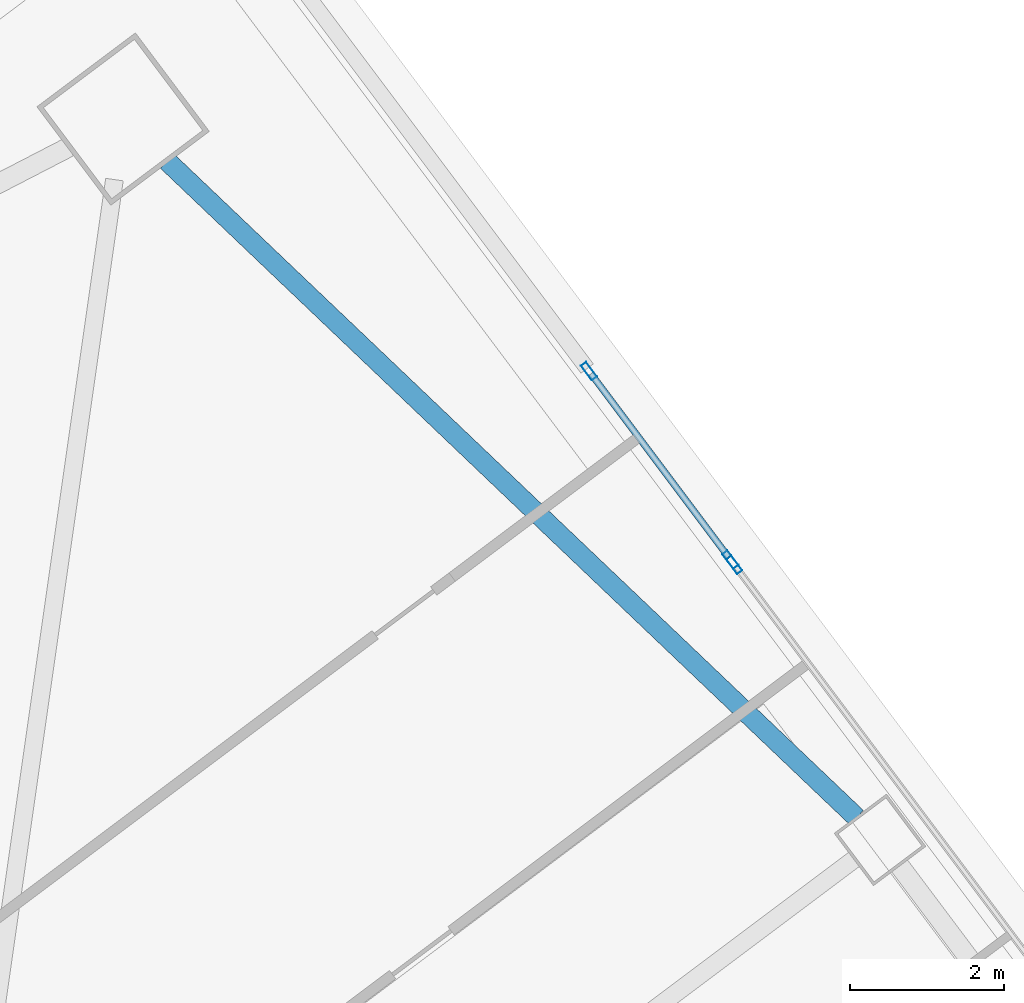
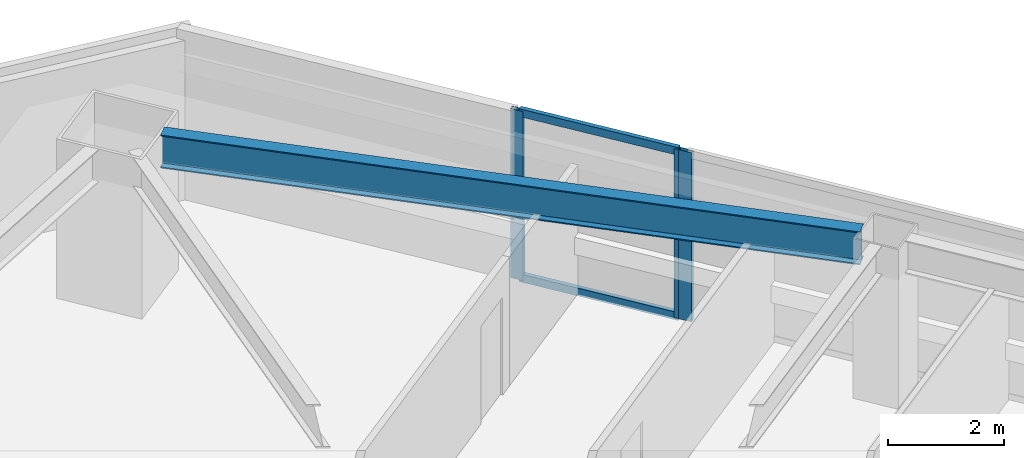
# One storey, part 34 of 48: 5 members, 1 beam, 2 elements without a shape of their own.
"""IFC4 building model written with IfcOpenShell, lengths in metres."""

import ifcopenshell
import ifcopenshell.guid

model = None  # the IFC model being written
_history = None  # IfcOwnerHistory: only IFC2X3 demands one
_inside = {}  # id of a spatial element -> (the spatial element, [elements in it])
_under = {}  # id of a project, library or spatial element -> (it, [spatial elements below it])
_declared = {}  # id of a project -> (the project, [libraries it declares])
_typed = {}  # id of a type object -> (the type object, [elements of that type])
_made_of = {}  # id of a material, layer set ... -> (it, [elements and type objects made of it])


def new_model(schema):
    """Start an empty IFC model of exactly this schema.

    Asked for "IFC4X3", IfcOpenShell would pick the latest addendum, in which some entities
    have other attributes; the version numbers below select the first issue.
    IFC2X3 requires an IfcOwnerHistory on every rooted entity: one is made here for all.
    """
    global model, _history
    if schema == "IFC4X3":
        model = ifcopenshell.file(schema_version=(4, 3, 0, 0))
    else:
        model = ifcopenshell.file(schema=schema)
    _inside.clear()
    _under.clear()
    _declared.clear()
    _typed.clear()
    _made_of.clear()
    _history = None
    if model.schema == "IFC2X3":
        org = make("IfcOrganization", Name="unknown")
        user = make(
            "IfcPersonAndOrganization",
            ThePerson=make("IfcPerson", FamilyName="unknown"),
            TheOrganization=org,
        )
        app = make(
            "IfcApplication",
            ApplicationDeveloper=org,
            Version="unknown",
            ApplicationFullName="unknown",
            ApplicationIdentifier="unknown",
        )
        _history = make(
            "IfcOwnerHistory",
            OwningUser=user,
            OwningApplication=app,
            ChangeAction="ADDED",
            CreationDate=0,
        )
    return model


def make(cls, **values):
    """One entity of the class cls with the attributes given. An attribute that is None is left unset."""
    return model.create_entity(
        cls, **{name: value for name, value in values.items() if value is not None}
    )


def rooted(cls, **values):
    """An entity with a GlobalId (a new one), such as an element, a storey or a relation."""
    return make(cls, GlobalId=ifcopenshell.guid.new(), OwnerHistory=_history, **values)


def si_unit(unit_type, name, prefix=None):
    """IfcSIUnit, for example si_unit("LENGTHUNIT", "METRE", prefix="MILLI")."""
    return make("IfcSIUnit", UnitType=unit_type, Prefix=prefix, Name=name)


def assignment(units):
    """IfcUnitAssignment: the units of a project."""
    return None if units is None else make("IfcUnitAssignment", Units=units)


def point(xyz):
    """IfcCartesianPoint."""
    return None if xyz is None else make("IfcCartesianPoint", Coordinates=xyz)


def direction(xyz):
    """IfcDirection."""
    return None if xyz is None else make("IfcDirection", DirectionRatios=xyz)


def frame(location, z_axis=None, x_axis=None):
    """IfcAxis2Placement3D, a coordinate frame: its origin and axes. An axis left out is left unset."""
    return make(
        "IfcAxis2Placement3D",
        Location=point(location),
        Axis=direction(z_axis),
        RefDirection=direction(x_axis),
    )


def frame_2d(location, x_axis=None):
    """IfcAxis2Placement2D, a coordinate frame in the plane: its origin and x axis."""
    return make(
        "IfcAxis2Placement2D", Location=point(location), RefDirection=direction(x_axis)
    )


def origin():
    """The frame at (0, 0, 0) with its axes left unset."""
    return frame((0.0, 0.0, 0.0))


def origin_2d():
    """The frame at (0, 0) in the plane with its x axis left unset."""
    return frame_2d((0.0, 0.0))


def place(relative_to, where):
    """IfcLocalPlacement: puts the frame where relative to a parent placement (None: the world)."""
    return make(
        "IfcLocalPlacement", PlacementRelTo=relative_to, RelativePlacement=where
    )


def context(
    kind, dimensions, precision=None, world=None, true_north=None, identifier=None
):
    """IfcGeometricRepresentationContext, for example the 3D "Model" context."""
    return make(
        "IfcGeometricRepresentationContext",
        ContextIdentifier=identifier,
        ContextType=kind,
        CoordinateSpaceDimension=dimensions,
        Precision=precision,
        WorldCoordinateSystem=world,
        TrueNorth=true_north,
    )


def subcontext(parent, identifier, kind, view, scale=None):
    """IfcGeometricRepresentationSubContext, for example "Body" below "Model"."""
    return make(
        "IfcGeometricRepresentationSubContext",
        ContextIdentifier=identifier,
        ContextType=kind,
        ParentContext=parent,
        TargetScale=scale,
        TargetView=view,
    )


def project(units=None, contexts=None):
    """IfcProject with its units and contexts."""
    return rooted(
        "IfcProject",
        Name="project",
        RepresentationContexts=contexts,
        UnitsInContext=assignment(units),
    )


def spatial(cls, under=None, at=None, **own):
    """A site, building, storey or space (cls), placed at a placement, below another one or the project."""
    s = rooted(cls, ObjectPlacement=at, **own)
    if under is not None:
        _under.setdefault(under.id(), (under, []))[1].append(s)
    return s


def profile(cls, at=None, kind="AREA", **sizes):
    """A parametric profile (cls). Its sizes go by their IFC names, for example OverallWidth=200.0."""
    return make(cls, ProfileType=kind, Position=at, **sizes)


def hollow_rectangle(**sizes):
    """IfcRectangleHollowProfileDef."""
    return profile("IfcRectangleHollowProfileDef", **sizes)


def i_section(**sizes):
    """IfcIShapeProfileDef."""
    return profile("IfcIShapeProfileDef", **sizes)


def extrude(swept, where, along, depth):
    """IfcExtrudedAreaSolid: the profile swept, set in the frame where, extruded along a direction by depth."""
    return make(
        "IfcExtrudedAreaSolid",
        SweptArea=swept,
        Position=where,
        ExtrudedDirection=direction(along),
        Depth=depth,
    )


def shape(context_of_items, identifier, shape_type, items):
    """IfcShapeRepresentation: the items that make up one representation, for example the "Body"."""
    return make(
        "IfcShapeRepresentation",
        ContextOfItems=context_of_items,
        RepresentationIdentifier=identifier,
        RepresentationType=shape_type,
        Items=items,
    )


def material(Name=None, Category=None):
    """IfcMaterial."""
    return make("IfcMaterial", Name=Name, Category=Category)


def material_profile(
    of_material, cross_section, Name=None, Category=None, Priority=None
):
    """IfcMaterialProfile: a cross section and its material."""
    return make(
        "IfcMaterialProfile",
        Name=Name,
        Material=of_material,
        Profile=cross_section,
        Priority=Priority,
        Category=Category,
    )


def profile_set(profiles, Name=None, composite=None):
    """IfcMaterialProfileSet."""
    return make(
        "IfcMaterialProfileSet",
        Name=Name,
        MaterialProfiles=profiles,
        CompositeProfile=composite,
    )


def made_of(thing, what):
    """Note that an element or type object is made of a material, layer set ...; save() writes the relation."""
    if what is not None:
        _made_of.setdefault(what.id(), (what, []))[1].append(thing)
    return thing


def type_object(cls, material=None, **own):
    """A type object (cls), such as IfcWallType, which elements share."""
    return made_of(rooted(cls, **own), material)


def element(
    cls,
    number,
    at=None,
    inside=None,
    cuts=None,
    type_object=None,
    material=None,
    context=None,
    identifier="Body",
    shape_type=None,
    held_by="IfcProductDefinitionShape",
    body=None,
    shapes=None,
    **own,
):
    """One element of the class cls, such as IfcWall. Its Tag is "e" and its number.

    at: its placement. inside: the storey or other place that contains it. cuts: it is an
    opening in that element (IfcRelVoidsElement). A single representation is given by context,
    identifier, shape_type and body (its items); several are given by shapes. held_by: the class
    of the entity that holds the representations. save() writes the other relations.
    """
    e = rooted(cls, Tag="e%d" % number, ObjectPlacement=at, **own)
    if body is not None:
        shapes = [shape(context, identifier, shape_type, body)]
    if shapes is not None:
        e.Representation = make(held_by, Representations=shapes)
    if inside is not None:
        _inside.setdefault(inside.id(), (inside, []))[1].append(e)
    if cuts is not None:
        rooted(
            "IfcRelVoidsElement", RelatingBuildingElement=cuts, RelatedOpeningElement=e
        )
    if type_object is not None:
        _typed.setdefault(type_object.id(), (type_object, []))[1].append(e)
    return made_of(e, material)


def aggregate(whole, parts):
    """IfcRelAggregates: a whole, such as a stair, and the parts it consists of."""
    return rooted("IfcRelAggregates", RelatingObject=whole, RelatedObjects=parts)


def save(model, path):
    """Write the relations noted so far, then the file.

    IfcRelAggregates (storeys below a building ...), IfcRelContainedInSpatialStructure (elements
    in a storey), IfcRelDefinesByType, IfcRelAssociatesMaterial and IfcRelDeclares: one each for
    every whole, place, type object, material and project.
    """
    for whole, parts in _under.values():
        aggregate(whole, parts)
    for where, things in _inside.values():
        rooted(
            "IfcRelContainedInSpatialStructure",
            RelatedElements=things,
            RelatingStructure=where,
        )
    for kind, things in _typed.values():
        rooted("IfcRelDefinesByType", RelatedObjects=things, RelatingType=kind)
    for what, things in _made_of.values():
        rooted("IfcRelAssociatesMaterial", RelatedObjects=things, RelatingMaterial=what)
    for by, libraries in _declared.values():
        rooted("IfcRelDeclares", RelatingContext=by, RelatedDefinitions=libraries)
    model.write(path)


model = new_model("IFC4")

# Units and contexts
model_context = context("Model", 3, precision=1e-05, world=origin(), true_north=direction((0.0, 1.0)))
body_context = subcontext(model_context, "Body", "Model", "MODEL_VIEW")
ifc_project = project(units=[si_unit("LENGTHUNIT", "METRE"), si_unit("AREAUNIT", "SQUARE_METRE"), si_unit("VOLUMEUNIT", "CUBIC_METRE"), si_unit("PLANEANGLEUNIT", "RADIAN"), si_unit("MASSUNIT", "GRAM", prefix="KILO")], contexts=[model_context])

# Site, building, storey
site_placement = place(None, origin())
site = spatial("IfcSite", under=ifc_project, at=site_placement, CompositionType="ELEMENT")
building_placement = place(site_placement, origin())
building = spatial("IfcBuilding", under=site, at=building_placement, Name="Tashvorn Skyway Center", CompositionType="ELEMENT")
storey_placement = place(building_placement, frame((0.0, 0.0, 56.550048828125)))
storey = spatial("IfcBuildingStorey", under=building, at=storey_placement, Name="L14", CompositionType="ELEMENT", Elevation=56.550048828125)

# Beam
ifc_material_1 = material(Name="Steel ASTM A992 Grade 50", Category="steel")
ifc_material_profile_1 = material_profile(ifc_material_1, i_section(OverallWidth=0.256103515625, OverallDepth=0.693115234375, WebThickness=0.014404296875, FlangeThickness=0.023681640625, at=origin_2d()), Name="W27X114")
ifc_profile_set_1 = profile_set([ifc_material_profile_1], Name="Steel ASTM A992 Grade 50")
beam_type = type_object("IfcBeamType", Name="BM-SPANDREL-W27X114", PredefinedType="SPANDREL", material=ifc_profile_set_1)
beam_placement = place(storey_placement, frame((127.2958984375, 49.23974609375, 3.00341796875), z_axis=(-0.724200339835, 0.689589637236, 0.0), x_axis=(-0.689589637236, -0.724200339835, 0.0)))
element("IfcBeam", 1, at=beam_placement, inside=storey, type_object=beam_type, Name="Tower 2 L14 Spandrel Beam 06", PredefinedType="SPANDREL", context=body_context, shape_type="SweptSolid", body=[
    extrude(i_section(OverallWidth=0.256103515625, OverallDepth=0.693115234375, WebThickness=0.014404296875, FlangeThickness=0.023681640625, at=origin_2d()), origin(), (0.0, 0.0, 1.0), 12.37255859375),
])

# Curtain wall, members
ifc_material_2 = material(Name="Thermally broken bronze-anodized aluminium 6063-T6", Category="aluminium")
curtain_wall_type = type_object("IfcCurtainWallType", Name="CW-CW-Z1", PredefinedType="NOTDEFINED", material=ifc_material_2)
curtain_wall_1_placement = place(storey_placement, origin())
curtain_wall_1 = element("IfcCurtainWall", 2, at=curtain_wall_1_placement, inside=storey, type_object=curtain_wall_type, Name="Tower 2 L14 East Unitised Curtain Wall Glazing Group 1", PredefinedType="NOTDEFINED")
ifc_material_profile_2 = material_profile(ifc_material_2, hollow_rectangle(XDim=0.0849609375, YDim=0.239990234375, WallThickness=0.0048828125, at=origin_2d()), Name="ALU-MULL-85x240")
ifc_profile_set_2 = profile_set([ifc_material_profile_2], Name="Thermally broken bronze-anodized aluminium 6063-T6")
member_type_1 = type_object("IfcMemberType", Name="CWM-CW-Z1", PredefinedType="MULLION", material=ifc_profile_set_2)
member_1_placement = place(storey_placement, frame((123.8173828125, 55.043212890625, 0.0), z_axis=(0.0, 0.0, 1.0), x_axis=(0.799996186392, 0.600005084776, 0.0)))
member_1 = element("IfcMember", 3, at=member_1_placement, type_object=member_type_1, Name="CW-Z1 mullion 1", PredefinedType="MULLION", context=body_context, shape_type="SweptSolid", body=[
    extrude(hollow_rectangle(XDim=0.0849609375, YDim=0.239990234375, WallThickness=0.0048828125, at=origin_2d()), origin(), (0.0, 0.0, 1.0), 3.550048828125),
])
member_2_placement = place(storey_placement, frame((125.654541015625, 52.593994140625, 0.0), z_axis=(0.0, 0.0, 1.0), x_axis=(0.799996186392, 0.600005084776, 0.0)))
member_2 = element("IfcMember", 4, at=member_2_placement, type_object=member_type_1, Name="CW-Z1 mullion 2", PredefinedType="MULLION", context=body_context, shape_type="SweptSolid", body=[
    extrude(hollow_rectangle(XDim=0.0849609375, YDim=0.239990234375, WallThickness=0.0048828125, at=origin_2d()), origin(), (0.0, 0.0, 1.0), 3.550048828125),
])

# Curtain wall, member
curtain_wall_2_placement = place(storey_placement, origin())
curtain_wall_2 = element("IfcCurtainWall", 5, at=curtain_wall_2_placement, inside=storey, type_object=curtain_wall_type, Name="Tower 2 L14 East Unitised Curtain Wall Glazing Group 2", PredefinedType="NOTDEFINED")
member_3_placement = place(storey_placement, frame((125.70556640625, 52.52587890625, 0.0), z_axis=(0.0, 0.0, 1.0), x_axis=(0.799999999998, 0.600000000002, 0.0)))
member_3 = element("IfcMember", 6, at=member_3_placement, type_object=member_type_1, Name="CW-Z1 mullion 1", PredefinedType="MULLION", context=body_context, shape_type="SweptSolid", body=[
    extrude(hollow_rectangle(XDim=0.0849609375, YDim=0.239990234375, WallThickness=0.0048828125, at=origin_2d()), origin(), (0.0, 0.0, 1.0), 3.550048828125),
])
aggregate(curtain_wall_2, [member_3])

# Member
ifc_material_profile_3 = material_profile(ifc_material_2, hollow_rectangle(XDim=0.0849609375, YDim=0.1650390625, WallThickness=0.0048828125, at=origin_2d()), Name="ALU-TRAN-85x165")
ifc_profile_set_3 = profile_set([ifc_material_profile_3], Name="Thermally broken bronze-anodized aluminium 6063-T6")
member_type_2 = type_object("IfcMemberType", Name="CWT-CW-Z1", PredefinedType="USERDEFINED", material=ifc_profile_set_3)
member_4_placement = place(storey_placement, frame((123.843017578125, 55.00927734375, 0.04248046875), z_axis=(0.599973753388, -0.800019684286, 0.0), x_axis=(0.800019684286, 0.599973753388, 0.0)))
member_4 = element("IfcMember", 7, at=member_4_placement, type_object=member_type_2, Name="CW-Z1 transom 1.1", ObjectType="TRANSOM", PredefinedType="USERDEFINED", context=body_context, shape_type="SweptSolid", body=[
    extrude(hollow_rectangle(XDim=0.0849609375, YDim=0.1650390625, WallThickness=0.0048828125, at=origin_2d()), origin(), (0.0, 0.0, 1.0), 2.9765625),
])

member_5_placement = place(storey_placement, frame((123.843017578125, 55.00927734375, 3.507568359375), z_axis=(0.599973753388, -0.800019684286, 0.0), x_axis=(0.800019684286, 0.599973753388, 0.0)))
member_5 = element("IfcMember", 8, at=member_5_placement, type_object=member_type_2, Name="CW-Z1 transom 1.2", ObjectType="TRANSOM", PredefinedType="USERDEFINED", context=body_context, shape_type="SweptSolid", body=[
    extrude(hollow_rectangle(XDim=0.0849609375, YDim=0.1650390625, WallThickness=0.0048828125, at=origin_2d()), origin(), (0.0, 0.0, 1.0), 2.9765625),
])

aggregate(curtain_wall_1, [member_1, member_2, member_4, member_5])

save(model, "model.ifc")
